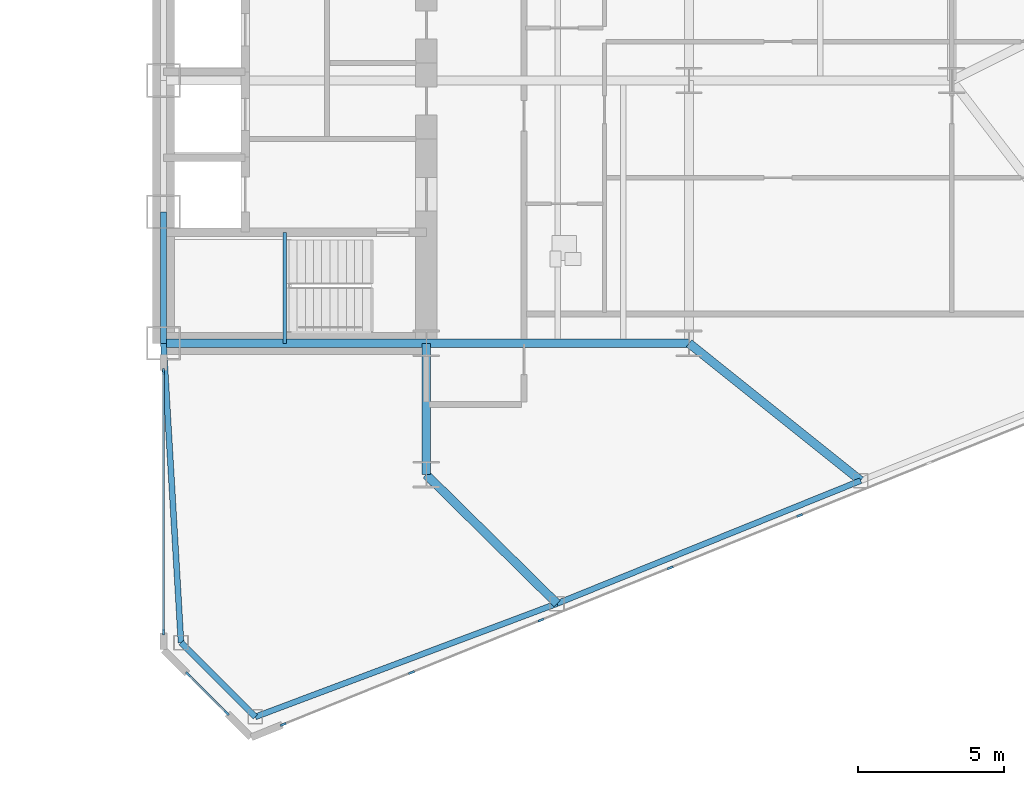
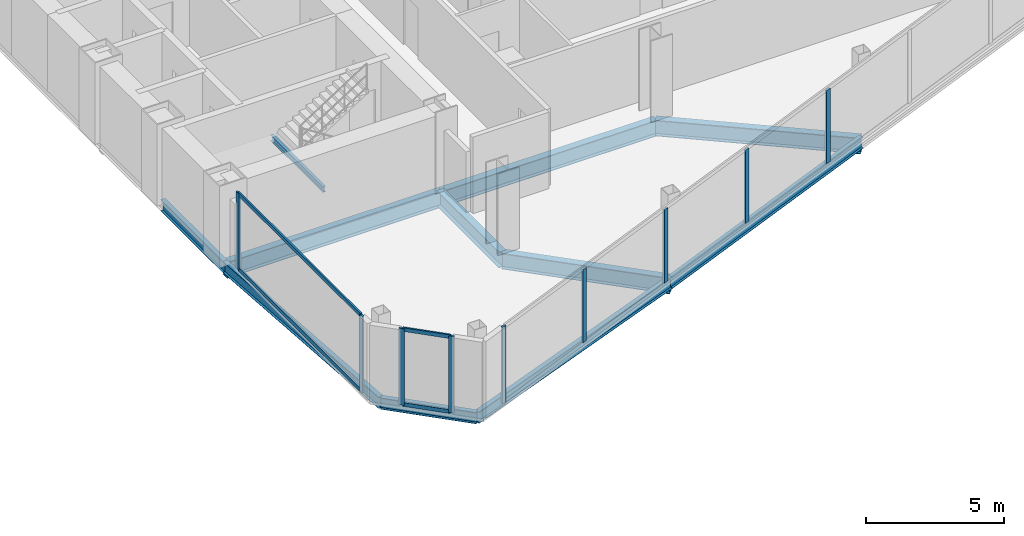
# One storey, part 9 of 25: 13 members, 11 beams, 3 elements without a shape of their own.
"""IFC4 building model written with IfcOpenShell, lengths in metres."""

from ifc_helpers import new_model, si_unit, direction, frame, origin, origin_2d, place, context, subcontext, project, spatial, rectangle, i_section, extrude, source, transform, mapped, material, layer, layer_set, material_profile, profile_set, type_object, type_shapes, element, aggregate, save


model = new_model("IFC4")

# Units and contexts
model_context = context("Model", 3, precision=1e-05, world=origin(), true_north=direction((0.0, 1.0)))
body_context = subcontext(model_context, "Body", "Model", "MODEL_VIEW")
ifc_project = project(units=[si_unit("LENGTHUNIT", "METRE"), si_unit("AREAUNIT", "SQUARE_METRE"), si_unit("VOLUMEUNIT", "CUBIC_METRE"), si_unit("PLANEANGLEUNIT", "RADIAN"), si_unit("MASSUNIT", "GRAM", prefix="KILO")], contexts=[model_context])

# Site, building, storey
site_placement = place(None, origin())
site = spatial("IfcSite", under=ifc_project, at=site_placement, CompositionType="ELEMENT")
building_placement = place(site_placement, origin())
building = spatial("IfcBuilding", under=site, at=building_placement, Name="Seokmaru Belvedere", CompositionType="ELEMENT")
storey_placement = place(building_placement, frame((0.0, 0.0, 47.699951171875)))
storey = spatial("IfcBuildingStorey", under=building, at=storey_placement, Name="L12", CompositionType="ELEMENT", Elevation=47.699951171875)

# Beams
ifc_material_1 = material(Name="Steel SM355 (355 MPa)", Category="steel")
ifc_material_profile_1 = material_profile(ifc_material_1, i_section(OverallWidth=0.199951171875, OverallDepth=0.5, WebThickness=0.010009765625, FlangeThickness=0.01611328125, at=origin_2d()), Name="H-500x200x10x16")
ifc_profile_set_1 = profile_set([ifc_material_profile_1], Name="Steel SM355 (355 MPa)")
beam_type_1 = type_object("IfcBeamType", Name="Perimeter Spandrel Beam H-500", PredefinedType="SPANDREL", material=ifc_profile_set_1)
shared_shape_1 = source(origin(), body_context, "Body", "SweptSolid", [
    extrude(i_section(OverallWidth=0.199951171875, OverallDepth=0.5, WebThickness=0.010009765625, FlangeThickness=0.01611328125, at=origin_2d()), origin(), (0.0, 0.0, 1.0), 4.5),
])
beam_1_placement = place(storey_placement, frame((27.5, -13.5, -0.469970703125), z_axis=(0.0, 1.0, 0.0), x_axis=(-1.0, 0.0, 0.0)))
element("IfcBeam", 1, at=beam_1_placement, inside=storey, type_object=beam_type_1, Name="L12 E Portal Spine Spandrel 1", PredefinedType="SPANDREL", context=body_context, shape_type="MappedRepresentation", body=[
    mapped(shared_shape_1, transform((0.0, 0.0, 0.0), scale=1.0)),
])
ifc_material_profile_2 = material_profile(ifc_material_1, i_section(OverallWidth=0.300048828125, OverallDepth=0.699951171875, WebThickness=0.012939453125, FlangeThickness=0.02392578125, at=origin_2d()), Name="H-700x300x13x24")
ifc_profile_set_2 = profile_set([ifc_material_profile_2], Name="Steel SM355 (355 MPa)")
beam_type_2 = type_object("IfcBeamType", Name="Primary Floor Girder H-700", PredefinedType="BEAM", material=ifc_profile_set_2)
shared_shape_2 = source(origin(), body_context, "Body", "SweptSolid", [
    extrude(i_section(OverallWidth=0.300048828125, OverallDepth=0.699951171875, WebThickness=0.012939453125, FlangeThickness=0.02392578125, at=origin_2d()), origin(), (0.0, 0.0, 1.0), 4.5),
])
beam_2_placement = place(storey_placement, frame((36.5, -18.0, -0.570068359375), z_axis=(0.0, 1.0, 0.0), x_axis=(-1.0, 0.0, 0.0)))
element("IfcBeam", 2, at=beam_2_placement, inside=storey, type_object=beam_type_2, Name="L12 E Core Shoulder Girder S", PredefinedType="BEAM", context=body_context, shape_type="MappedRepresentation", body=[
    mapped(shared_shape_2, transform((0.0, 0.0, 0.0), scale=1.0)),
])
shared_shape_3 = source(origin(), body_context, "Body", "SweptSolid", [
    extrude(i_section(OverallWidth=0.300048828125, OverallDepth=0.699951171875, WebThickness=0.012939453125, FlangeThickness=0.02392578125, at=origin_2d()), origin(), (0.0, 0.0, 1.0), 9.0),
])
for number, where, z_axis, x_axis, name in (
    (3, (27.5, -13.5, -0.570068359375), (1.0, 0.0, 0.0), (0.0, 1.0, 0.0), "L12 E Core Tie Girder 1"),
    (4, (36.5, -13.5, -0.570068359375), (1.0, 0.0, 0.0), (0.0, 1.0, 0.0), "L12 E Wing Primary Girder 1"),
):
    element("IfcBeam", number, at=place(storey_placement, frame(where, z_axis=z_axis, x_axis=x_axis)), inside=storey, type_object=beam_type_2, Name=name, PredefinedType="BEAM", context=body_context, shape_type="MappedRepresentation", body=[
        mapped(shared_shape_3, transform((0.0, 0.0, 0.0), scale=1.0)),
    ])
shared_shape_4 = source(origin(), body_context, "Body", "SweptSolid", [
    extrude(i_section(OverallWidth=0.199951171875, OverallDepth=0.5, WebThickness=0.010009765625, FlangeThickness=0.01611328125, at=origin_2d()), origin(), (0.0, 0.0, 1.0), 11.03857421875),
])
beam_3_placement = place(storey_placement, frame((30.643310546875, -26.294677734375, -0.469970703125), z_axis=(0.936169110734, 0.351549990907, 0.0), x_axis=(-0.351549990907, 0.936169110734, 0.0)))
element("IfcBeam", 5, at=beam_3_placement, inside=storey, type_object=beam_type_1, Name="L12 E Faceted Flank Spandrel S-1", PredefinedType="SPANDREL", context=body_context, shape_type="MappedRepresentation", body=[
    mapped(shared_shape_4, transform((0.0, 0.0, 0.0), scale=1.0)),
])
shared_shape_5 = source(origin(), body_context, "Body", "SweptSolid", [
    extrude(i_section(OverallWidth=0.199951171875, OverallDepth=0.5, WebThickness=0.010009765625, FlangeThickness=0.01611328125, at=origin_2d()), origin(), (0.0, 0.0, 1.0), 11.220703125),
])
beam_4_placement = place(storey_placement, frame((40.977294921875, -22.4140625, -0.469970703125), z_axis=(0.926944290816, 0.375198989503, 0.0), x_axis=(-0.375198989503, 0.926944290816, 0.0)))
element("IfcBeam", 6, at=beam_4_placement, inside=storey, type_object=beam_type_1, Name="L12 E Faceted Flank Spandrel S-2", PredefinedType="SPANDREL", context=body_context, shape_type="MappedRepresentation", body=[
    mapped(shared_shape_5, transform((0.0, 0.0, 0.0), scale=1.0)),
])
shared_shape_6 = source(origin(), body_context, "Body", "SweptSolid", [
    extrude(i_section(OverallWidth=0.199951171875, OverallDepth=0.5, WebThickness=0.010009765625, FlangeThickness=0.01611328125, at=origin_2d()), origin(), (0.0, 0.0, 1.0), 3.5966796875),
])
beam_5_placement = place(storey_placement, frame((30.643310546875, -26.294677734375, -0.469970703125), z_axis=(-0.707106781187, 0.707106781187, 0.0), x_axis=(-0.707106781187, -0.707106781187, 0.0)))
element("IfcBeam", 7, at=beam_5_placement, inside=storey, type_object=beam_type_1, Name="L12 E Shoulder Chamfer Spandrel S", PredefinedType="SPANDREL", context=body_context, shape_type="MappedRepresentation", body=[
    mapped(shared_shape_6, transform((0.0, 0.0, 0.0), scale=1.0)),
])
shared_shape_7 = source(origin(), body_context, "Body", "SweptSolid", [
    extrude(i_section(OverallWidth=0.199951171875, OverallDepth=0.5, WebThickness=0.010009765625, FlangeThickness=0.01611328125, at=origin_2d()), origin(), (0.0, 0.0, 1.0), 10.26904296875),
])
type_shapes(beam_type_1, [shared_shape_1, shared_shape_4, shared_shape_5, shared_shape_6, shared_shape_7])
beam_6_placement = place(storey_placement, frame((28.10009765625, -23.75146484375, -0.469970703125), z_axis=(-0.058437709399, 0.998291056817, 0.0), x_axis=(-0.998291056817, -0.058437709399, 0.0)))
element("IfcBeam", 8, at=beam_6_placement, inside=storey, type_object=beam_type_1, Name="L12 E Shoulder Spine Spandrel S", PredefinedType="SPANDREL", context=body_context, shape_type="MappedRepresentation", body=[
    mapped(shared_shape_7, transform((0.0, 0.0, 0.0), scale=1.0)),
])
shared_shape_8 = source(origin(), body_context, "Body", "SweptSolid", [
    extrude(i_section(OverallWidth=0.300048828125, OverallDepth=0.699951171875, WebThickness=0.012939453125, FlangeThickness=0.02392578125, at=origin_2d()), origin(), (0.0, 0.0, 1.0), 6.287353515625),
])
beam_7_placement = place(storey_placement, frame((40.977294921875, -22.4140625, -0.570068359375), z_axis=(-0.712117485263, 0.702060315915, 0.0), x_axis=(-0.702060315915, -0.712117485263, 0.0)))
element("IfcBeam", 9, at=beam_7_placement, inside=storey, type_object=beam_type_2, Name="L12 E Flank Radial Floor Girder S-1", PredefinedType="BEAM", context=body_context, shape_type="MappedRepresentation", body=[
    mapped(shared_shape_8, transform((0.0, 0.0, 0.0), scale=1.0)),
])
shared_shape_9 = source(origin(), body_context, "Body", "SweptSolid", [
    extrude(i_section(OverallWidth=0.300048828125, OverallDepth=0.699951171875, WebThickness=0.012939453125, FlangeThickness=0.02392578125, at=origin_2d()), origin(), (0.0, 0.0, 1.0), 7.52880859375),
])
type_shapes(beam_type_2, [shared_shape_2, shared_shape_3, shared_shape_8, shared_shape_9])
beam_8_placement = place(storey_placement, frame((51.378173828125, -18.2041015625, -0.570068359375), z_axis=(-0.780767560736, 0.624821587418, 0.0), x_axis=(-0.624821587418, -0.780767560736, 0.0)))
element("IfcBeam", 10, at=beam_8_placement, inside=storey, type_object=beam_type_2, Name="L12 E Flank Radial Floor Girder S-2", PredefinedType="BEAM", context=body_context, shape_type="MappedRepresentation", body=[
    mapped(shared_shape_9, transform((0.0, 0.0, 0.0), scale=1.0)),
])

# Curtain wall, member
ifc_material_2 = material(Name="Bronze Triple Insulating Glass", Category="glass")
ifc_layer = layer(ifc_material_2, 0.2099609375)
ifc_layer_set = layer_set([ifc_layer], Name="Bronze Triple Insulating Glass")
curtain_wall_type = type_object("IfcCurtainWallType", Name="Low-Rise Faceted Crystal Curtain Wall System CW-2", PredefinedType="NOTDEFINED", material=ifc_layer_set)
curtain_wall_1_placement = place(storey_placement, origin())
curtain_wall_1 = element("IfcCurtainWall", 11, at=curtain_wall_1_placement, inside=storey, type_object=curtain_wall_type, Name="L12 Curtain Wall EF1", PredefinedType="NOTDEFINED")
ifc_material_3 = material(Name="Anodised Bronze Aluminium", Category="aluminium")
ifc_material_profile_3 = material_profile(ifc_material_3, rectangle(XDim=0.074951171875, YDim=0.2099609375, at=origin_2d()), Name="CW-M-75x210")
ifc_profile_set_3 = profile_set([ifc_material_profile_3], Name="Anodised Bronze Aluminium")
member_type_1 = type_object("IfcMemberType", Name="Bronze Unitised Mullion 75x210", PredefinedType="MULLION", material=ifc_profile_set_3)
shared_shape_10 = source(origin(), body_context, "Body", "SweptSolid", [
    extrude(rectangle(XDim=0.074951171875, YDim=0.2099609375, at=origin_2d()), origin(), (0.0, 0.0, 1.0), 3.380126953125),
])
member_1_placement = place(storey_placement, frame((31.600830078125, -26.554443359375, 0.0), z_axis=(0.0, 0.0, 1.0), x_axis=(-0.375192321888, 0.926946989637, 0.0)))
member_1 = element("IfcMember", 12, at=member_1_placement, type_object=member_type_1, Name="CW:L12:EF1 Mullion 1", PredefinedType="MULLION", context=body_context, shape_type="MappedRepresentation", body=[
    mapped(shared_shape_10, transform((0.0, 0.0, 0.0), scale=1.0)),
])

# Curtain wall, members
curtain_wall_2_placement = place(storey_placement, origin())
curtain_wall_2 = element("IfcCurtainWall", 13, at=curtain_wall_2_placement, inside=storey, type_object=curtain_wall_type, Name="L12 Curtain Wall ESP_1", PredefinedType="NOTDEFINED")
member_2_placement = place(storey_placement, frame((27.5, -14.467529296875, 0.0), z_axis=(0.0, 0.0, 1.0), x_axis=(1.0, 0.0, 0.0)))
member_2 = element("IfcMember", 14, at=member_2_placement, type_object=member_type_1, Name="CW:L12:ESP_1 Mullion 1", PredefinedType="MULLION", context=body_context, shape_type="MappedRepresentation", body=[
    mapped(shared_shape_10, transform((0.0, 0.0, 0.0), scale=1.0)),
])
member_3_placement = place(storey_placement, frame((27.5, -23.392578125, 0.0), z_axis=(0.0, 0.0, 1.0), x_axis=(1.0, 0.0, 0.0)))
member_3 = element("IfcMember", 15, at=member_3_placement, type_object=member_type_1, Name="CW:L12:ESP_1 Mullion 2", PredefinedType="MULLION", context=body_context, shape_type="MappedRepresentation", body=[
    mapped(shared_shape_10, transform((0.0, 0.0, 0.0), scale=1.0)),
])

curtain_wall_3_placement = place(storey_placement, origin())
curtain_wall_3 = element("IfcCurtainWall", 16, at=curtain_wall_3_placement, inside=storey, type_object=curtain_wall_type, Name="L12 Curtain Wall EF6", PredefinedType="NOTDEFINED")
member_4_placement = place(storey_placement, frame((28.339599609375, -24.839599609375, 0.0), z_axis=(0.0, 0.0, 1.0), x_axis=(0.707106781187, 0.707106781187, 0.0)))
member_4 = element("IfcMember", 17, at=member_4_placement, type_object=member_type_1, Name="CW:L12:EF6 Mullion 1", PredefinedType="MULLION", context=body_context, shape_type="MappedRepresentation", body=[
    mapped(shared_shape_10, transform((0.0, 0.0, 0.0), scale=1.0)),
])
member_5_placement = place(storey_placement, frame((29.660400390625, -26.160400390625, 0.0), z_axis=(0.0, 0.0, 1.0), x_axis=(0.707106781187, 0.707106781187, 0.0)))
member_5 = element("IfcMember", 18, at=member_5_placement, type_object=member_type_1, Name="CW:L12:EF6 Mullion 2", PredefinedType="MULLION", context=body_context, shape_type="MappedRepresentation", body=[
    mapped(shared_shape_10, transform((0.0, 0.0, 0.0), scale=1.0)),
])

# Member
ifc_material_profile_4 = material_profile(ifc_material_3, rectangle(XDim=0.070068359375, YDim=0.1650390625, at=origin_2d()), Name="CW-T-70x165")
ifc_profile_set_4 = profile_set([ifc_material_profile_4], Name="Anodised Bronze Aluminium")
member_type_2 = type_object("IfcMemberType", Name="Bronze Unitised Transom 70x165", PredefinedType="USERDEFINED", material=ifc_profile_set_4)
shared_shape_11 = source(origin(), body_context, "Body", "SweptSolid", [
    extrude(rectangle(XDim=0.070068359375, YDim=0.1650390625, at=origin_2d()), origin(), (0.0, 0.0, 1.0), 8.85009765625),
])
member_6_placement = place(storey_placement, frame((27.5, -14.5048828125, 0.03515625), z_axis=(0.0, -1.0, 0.0), x_axis=(1.0, 0.0, 0.0)))
member_6 = element("IfcMember", 19, at=member_6_placement, type_object=member_type_2, Name="CW:L12:ESP_1 Continuous Transom 1", ObjectType="TRANSOM", PredefinedType="USERDEFINED", context=body_context, shape_type="MappedRepresentation", body=[
    mapped(shared_shape_11, transform((0.0, 0.0, 0.0), scale=1.0)),
])

member_7_placement = place(storey_placement, frame((27.5, -14.5048828125, 3.344970703125), z_axis=(0.0, -1.0, 0.0), x_axis=(1.0, 0.0, 0.0)))
member_7 = element("IfcMember", 20, at=member_7_placement, type_object=member_type_2, Name="CW:L12:ESP_1 Continuous Transom 2", ObjectType="TRANSOM", PredefinedType="USERDEFINED", context=body_context, shape_type="MappedRepresentation", body=[
    mapped(shared_shape_11, transform((0.0, 0.0, 0.0), scale=1.0)),
])

aggregate(curtain_wall_2, [member_2, member_3, member_6, member_7])

shared_shape_12 = source(origin(), body_context, "Body", "SweptSolid", [
    extrude(rectangle(XDim=0.070068359375, YDim=0.1650390625, at=origin_2d()), origin(), (0.0, 0.0, 1.0), 1.792724609375),
])
type_shapes(member_type_2, [shared_shape_11, shared_shape_12])
member_8_placement = place(storey_placement, frame((28.3662109375, -24.8662109375, 0.03515625), z_axis=(0.707106781187, -0.707106781187, 0.0), x_axis=(0.707106781187, 0.707106781187, 0.0)))
member_8 = element("IfcMember", 21, at=member_8_placement, type_object=member_type_2, Name="CW:L12:EF6 Continuous Transom 1", ObjectType="TRANSOM", PredefinedType="USERDEFINED", context=body_context, shape_type="MappedRepresentation", body=[
    mapped(shared_shape_12, transform((0.0, 0.0, 0.0), scale=1.0)),
])

member_9_placement = place(storey_placement, frame((28.3662109375, -24.8662109375, 3.344970703125), z_axis=(0.707106781187, -0.707106781187, 0.0), x_axis=(0.707106781187, 0.707106781187, 0.0)))
member_9 = element("IfcMember", 22, at=member_9_placement, type_object=member_type_2, Name="CW:L12:EF6 Continuous Transom 2", ObjectType="TRANSOM", PredefinedType="USERDEFINED", context=body_context, shape_type="MappedRepresentation", body=[
    mapped(shared_shape_12, transform((0.0, 0.0, 0.0), scale=1.0)),
])

aggregate(curtain_wall_3, [member_4, member_5, member_8, member_9])

shared_shape_13 = source(origin(), body_context, "Body", "SweptSolid", [
    extrude(rectangle(XDim=0.074951171875, YDim=0.2099609375, at=origin_2d()), origin(), (0.0, 0.0, 1.0), 3.239990234375),
])
type_shapes(member_type_1, [shared_shape_10, shared_shape_13])
member_10_placement = place(storey_placement, frame((35.995849609375, -24.775390625, 0.070068359375), z_axis=(0.0, 0.0, 1.0), x_axis=(-0.375192321888, 0.926946989637, 0.0)))
member_10 = element("IfcMember", 23, at=member_10_placement, type_object=member_type_1, Name="CW:L12:EF1 Mullion 2", PredefinedType="MULLION", context=body_context, shape_type="MappedRepresentation", body=[
    mapped(shared_shape_13, transform((0.0, 0.0, 0.0), scale=1.0)),
])

member_11_placement = place(storey_placement, frame((40.425537109375, -22.982421875, 0.070068359375), z_axis=(0.0, 0.0, 1.0), x_axis=(-0.375192321888, 0.926946989637, 0.0)))
member_11 = element("IfcMember", 24, at=member_11_placement, type_object=member_type_1, Name="CW:L12:EF1 Mullion 3", PredefinedType="MULLION", context=body_context, shape_type="MappedRepresentation", body=[
    mapped(shared_shape_13, transform((0.0, 0.0, 0.0), scale=1.0)),
])

member_12_placement = place(storey_placement, frame((44.855224609375, -21.189453125, 0.070068359375), z_axis=(0.0, 0.0, 1.0), x_axis=(-0.375192321888, 0.926946989637, 0.0)))
member_12 = element("IfcMember", 25, at=member_12_placement, type_object=member_type_1, Name="CW:L12:EF1 Mullion 4", PredefinedType="MULLION", context=body_context, shape_type="MappedRepresentation", body=[
    mapped(shared_shape_13, transform((0.0, 0.0, 0.0), scale=1.0)),
])

member_13_placement = place(storey_placement, frame((49.28515625, -19.396484375, 0.070068359375), z_axis=(0.0, 0.0, 1.0), x_axis=(-0.375192321888, 0.926946989637, 0.0)))
member_13 = element("IfcMember", 26, at=member_13_placement, type_object=member_type_1, Name="CW:L12:EF1 Mullion 5", PredefinedType="MULLION", context=body_context, shape_type="MappedRepresentation", body=[
    mapped(shared_shape_13, transform((0.0, 0.0, 0.0), scale=1.0)),
])

aggregate(curtain_wall_1, [member_1, member_10, member_11, member_12, member_13])

# Beam
ifc_material_profile_5 = material_profile(ifc_material_1, i_section(OverallWidth=0.125, OverallDepth=0.25, WebThickness=0.006103515625, FlangeThickness=0.009033203125, at=origin_2d()), Name="H-250x125x6x9")
ifc_profile_set_5 = profile_set([ifc_material_profile_5], Name="Steel SM355 (355 MPa)")
beam_type_3 = type_object("IfcBeamType", Name="Stair Mid-Landing Support Beam H-250", PredefinedType="JOIST", material=ifc_profile_set_5)
shared_shape_14 = source(origin(), body_context, "Body", "SweptSolid", [
    extrude(i_section(OverallWidth=0.125, OverallDepth=0.25, WebThickness=0.006103515625, FlangeThickness=0.009033203125, at=origin_2d()), origin(), (0.0, 0.0, 1.0), 3.800048828125),
])
type_shapes(beam_type_3, [shared_shape_14])
beam_9_placement = place(storey_placement, frame((31.64990234375, -13.5, 1.47509765625), z_axis=(0.0, 1.0, 0.0), x_axis=(-1.0, 0.0, 0.0)))
element("IfcBeam", 27, at=beam_9_placement, inside=storey, type_object=beam_type_3, Name="L12 Stair ST-E1 Mid-Landing Support Beam 1", PredefinedType="JOIST", context=body_context, shape_type="MappedRepresentation", body=[
    mapped(shared_shape_14, transform((0.0, 0.0, 0.0), scale=1.0)),
])

save(model, "model.ifc")
